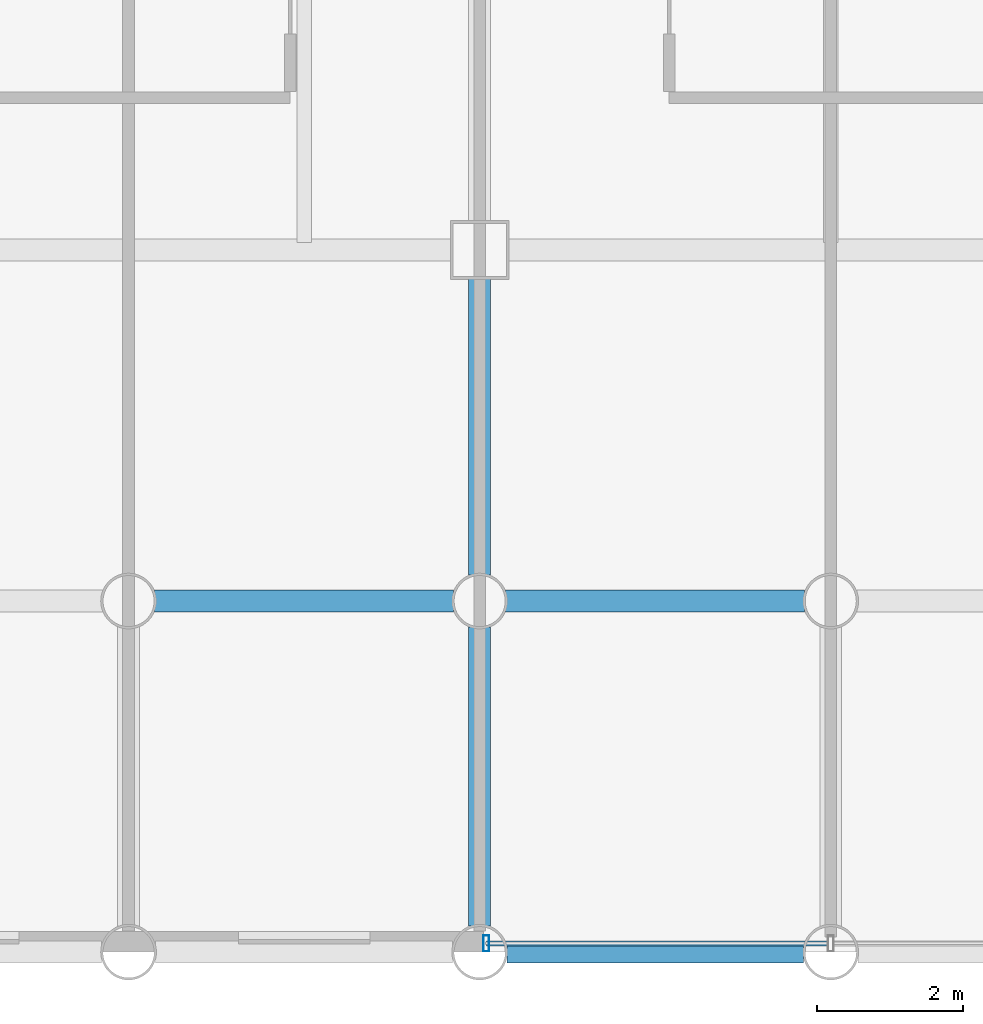
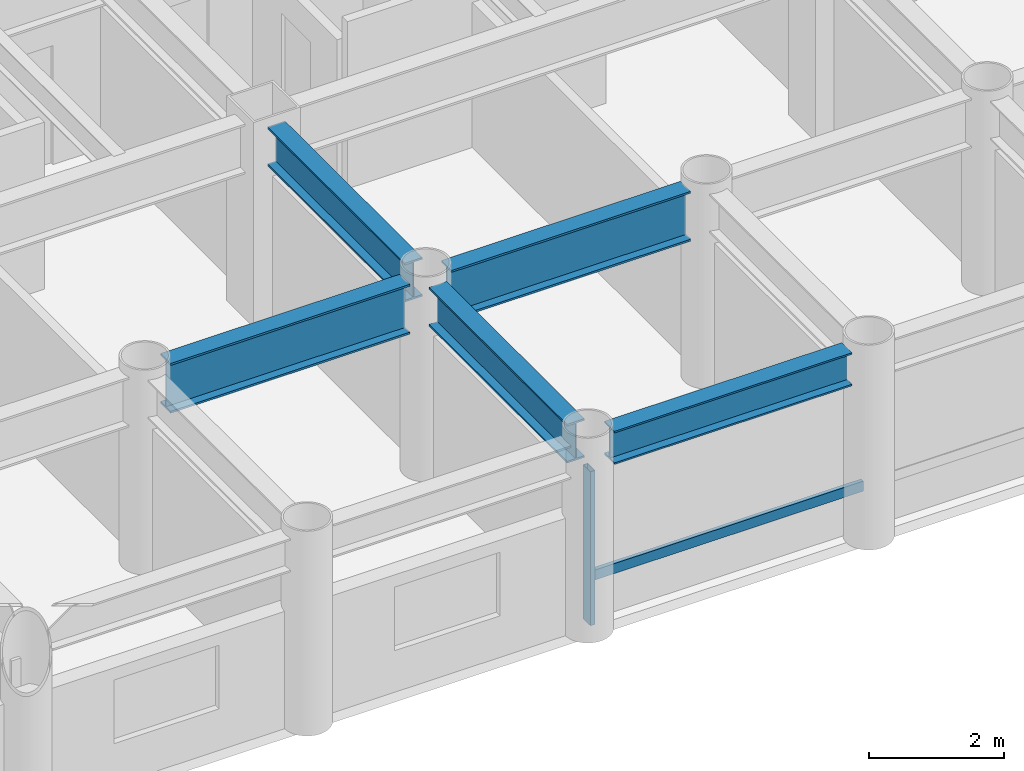
# One storey, part 2 of 22: 5 beams, 2 members, 1 element without a shape of its own.
"""IFC4 building model written with IfcOpenShell, lengths in metres."""

from ifc_helpers import new_model, si_unit, direction, frame, origin, origin_2d, place, context, subcontext, project, spatial, hollow_rectangle, i_section, extrude, material, layer, layer_set, material_profile, profile_set, type_object, element, aggregate, save


model = new_model("IFC4")

# Units and contexts
model_context = context("Model", 3, precision=1e-05, world=origin(), true_north=direction((0.0, 1.0)))
body_context = subcontext(model_context, "Body", "Model", "MODEL_VIEW")
ifc_project = project(units=[si_unit("LENGTHUNIT", "METRE"), si_unit("AREAUNIT", "SQUARE_METRE"), si_unit("VOLUMEUNIT", "CUBIC_METRE"), si_unit("PLANEANGLEUNIT", "RADIAN"), si_unit("MASSUNIT", "GRAM", prefix="KILO")], contexts=[model_context])

# Site, building, storey
site_placement = place(None, origin())
site = spatial("IfcSite", under=ifc_project, at=site_placement, CompositionType="ELEMENT")
building_placement = place(site_placement, origin())
building = spatial("IfcBuilding", under=site, at=building_placement, Name="Kallvorn Hotel Tower", CompositionType="ELEMENT")
storey_placement = place(building_placement, frame((0.0, 0.0, 37.39990234375)))
storey = spatial("IfcBuildingStorey", under=building, at=storey_placement, Name="L07", CompositionType="ELEMENT", Elevation=37.39990234375)

# Beams
ifc_material_1 = material(Name="Structural steel S355JR", Category="steel")
ifc_material_profile_1 = material_profile(ifc_material_1, i_section(OverallWidth=0.300048828125, OverallDepth=0.60009765625, WebThickness=0.015380859375, FlangeThickness=0.030029296875, at=origin_2d()), Name="HE 600 B")
ifc_profile_set_1 = profile_set([ifc_material_profile_1], Name="Structural steel S355JR")
beam_type_1 = type_object("IfcBeamType", Name="BM_HE600B", PredefinedType="SPANDREL", material=ifc_profile_set_1)
beam_1_placement = place(storey_placement, frame((-4.428955078125, -24.0, 3.22021484375), z_axis=(1.0, 0.0, 0.0), x_axis=(0.0, 1.0, 0.0)))
element("IfcBeam", 1, at=beam_1_placement, inside=storey, type_object=beam_type_1, Name="L08 Perimeter Spandrel 156", PredefinedType="SPANDREL", context=body_context, shape_type="SweptSolid", body=[
    extrude(i_section(OverallWidth=0.300048828125, OverallDepth=0.60009765625, WebThickness=0.015380859375, FlangeThickness=0.030029296875, at=origin_2d()), origin(), (0.0, 0.0, 1.0), 4.057861328125),
])
ifc_material_2 = material(Name="Structural steel S355JR", Category="steel")
ifc_material_profile_2 = material_profile(ifc_material_2, i_section(OverallWidth=0.300048828125, OverallDepth=0.699951171875, WebThickness=0.01708984375, FlangeThickness=0.031982421875, at=origin_2d()), Name="HE 700 B")
ifc_profile_set_2 = profile_set([ifc_material_profile_2], Name="Structural steel S355JR")
beam_type_2 = type_object("IfcBeamType", Name="BM_HE700B", PredefinedType="BEAM", material=ifc_profile_set_2)
beam_2_placement = place(storey_placement, frame((-4.800048828125, -23.64404296875, 3.170166015625), z_axis=(0.0, 1.0, 0.0), x_axis=(-1.0, 0.0, 0.0)))
element("IfcBeam", 2, at=beam_2_placement, inside=storey, type_object=beam_type_2, Name="L08 Primary Y-Girder 106", PredefinedType="BEAM", context=body_context, shape_type="SweptSolid", body=[
    extrude(i_section(OverallWidth=0.300048828125, OverallDepth=0.699951171875, WebThickness=0.01708984375, FlangeThickness=0.031982421875, at=origin_2d()), origin(), (0.0, 0.0, 1.0), 4.088134765625),
])
beam_3_placement = place(storey_placement, frame((-4.800048828125, -18.843994140625, 3.170166015625), z_axis=(0.0, 1.0, 0.0), x_axis=(-1.0, 0.0, 0.0)))
element("IfcBeam", 3, at=beam_3_placement, inside=storey, type_object=beam_type_2, Name="L08 Primary Y-Girder 107", PredefinedType="BEAM", context=body_context, shape_type="SweptSolid", body=[
    extrude(i_section(OverallWidth=0.300048828125, OverallDepth=0.699951171875, WebThickness=0.01708984375, FlangeThickness=0.031982421875, at=origin_2d()), origin(), (0.0, 0.0, 1.0), 4.069091796875),
])
ifc_material_3 = material(Name="Structural steel S355JR", Category="steel")
ifc_material_profile_3 = material_profile(ifc_material_3, i_section(OverallWidth=0.300048828125, OverallDepth=0.89990234375, WebThickness=0.0185546875, FlangeThickness=0.034912109375, at=origin_2d()), Name="HE 900 B")
ifc_profile_set_3 = profile_set([ifc_material_profile_3], Name="Structural steel S355JR")
beam_type_3 = type_object("IfcBeamType", Name="BM_HE900B", PredefinedType="BEAM", material=ifc_profile_set_3)
beam_4_placement = place(storey_placement, frame((-9.243896484375, -19.199951171875, 3.070068359375), z_axis=(1.0, 0.0, 0.0), x_axis=(0.0, 1.0, 0.0)))
element("IfcBeam", 4, at=beam_4_placement, inside=storey, type_object=beam_type_3, Name="L08 Primary X-Girder 06", PredefinedType="BEAM", context=body_context, shape_type="SweptSolid", body=[
    extrude(i_section(OverallWidth=0.300048828125, OverallDepth=0.89990234375, WebThickness=0.0185546875, FlangeThickness=0.034912109375, at=origin_2d()), origin(), (0.0, 0.0, 1.0), 4.087890625),
])
beam_5_placement = place(storey_placement, frame((-4.444091796875, -19.199951171875, 3.070068359375), z_axis=(1.0, 0.0, 0.0), x_axis=(0.0, 1.0, 0.0)))
element("IfcBeam", 5, at=beam_5_placement, inside=storey, type_object=beam_type_3, Name="L08 Primary X-Girder 07", PredefinedType="BEAM", context=body_context, shape_type="SweptSolid", body=[
    extrude(i_section(OverallWidth=0.300048828125, OverallDepth=0.89990234375, WebThickness=0.0185546875, FlangeThickness=0.034912109375, at=origin_2d()), origin(), (0.0, 0.0, 1.0), 4.088134765625),
])

# Curtain wall, members
ifc_material_4 = material(Name="Thermally broken black-anodised aluminium AA 6063-T6", Category="aluminium")
ifc_layer = layer(ifc_material_4, 0.199951171875)
ifc_layer_set = layer_set([ifc_layer], Name="CW_SYS_3_HOTEL_LOW")
curtain_wall_type = type_object("IfcCurtainWallType", Name="CW_SYS_3_HOTEL_LOW", PredefinedType="USERDEFINED", material=ifc_layer_set)
curtain_wall_placement = place(storey_placement, origin())
curtain_wall = element("IfcCurtainWall", 6, at=curtain_wall_placement, inside=storey, type_object=curtain_wall_type, Name="L07 Dark-Glass Curtain Wall CW-L07-SC", ObjectType="UNITISED CURTAIN WALL", PredefinedType="USERDEFINED")
ifc_material_5 = material(Name="Thermally broken black-anodised aluminium AA 6063-T6", Category="aluminium")
ifc_material_profile_4 = material_profile(ifc_material_5, hollow_rectangle(XDim=0.080078125, YDim=0.219970703125, WallThickness=0.0048828125, at=origin_2d()), Name="MUL 220x80")
ifc_profile_set_4 = profile_set([ifc_material_profile_4], Name="Thermally broken black-anodised aluminium AA 6063-T6")
member_type_1 = type_object("IfcMemberType", Name="CW_MULLION_220x80", PredefinedType="MULLION", material=ifc_profile_set_4)
member_1_placement = place(storey_placement, frame((-4.7099609375, -23.8798828125, 0.02001953125), z_axis=(0.0, 0.0, 1.0), x_axis=(1.0, 0.0, 0.0)))
member_1 = element("IfcMember", 7, at=member_1_placement, type_object=member_type_1, Name="CW-L07-SC Mullion 00", PredefinedType="MULLION", context=body_context, shape_type="SweptSolid", body=[
    extrude(hollow_rectangle(XDim=0.080078125, YDim=0.219970703125, WallThickness=0.0048828125, at=origin_2d()), origin(), (0.0, 0.0, 1.0), 2.780029296875),
])
ifc_material_6 = material(Name="Thermally broken black-anodised aluminium AA 6063-T6", Category="aluminium")
ifc_material_profile_5 = material_profile(ifc_material_6, hollow_rectangle(XDim=0.070068359375, YDim=0.179931640625, WallThickness=0.00390625, at=origin_2d()), Name="TRN 180x70")
ifc_profile_set_5 = profile_set([ifc_material_profile_5], Name="Thermally broken black-anodised aluminium AA 6063-T6")
member_type_2 = type_object("IfcMemberType", Name="CW_TRANSOM_180x70", PredefinedType="USERDEFINED", material=ifc_profile_set_5)
member_2_placement = place(storey_placement, frame((-4.7099609375, -23.8798828125, 0.85009765625), z_axis=(1.0, 0.0, 0.0), x_axis=(0.0, 1.0, 0.0)))
member_2 = element("IfcMember", 8, at=member_2_placement, type_object=member_type_2, Name="CW-L07-SC Transom 00M", ObjectType="TRANSOM", PredefinedType="USERDEFINED", context=body_context, shape_type="SweptSolid", body=[
    extrude(hollow_rectangle(XDim=0.070068359375, YDim=0.179931640625, WallThickness=0.00390625, at=origin_2d()), origin(), (0.0, 0.0, 1.0), 4.669921875),
])
aggregate(curtain_wall, [member_1, member_2])

save(model, "model.ifc")
